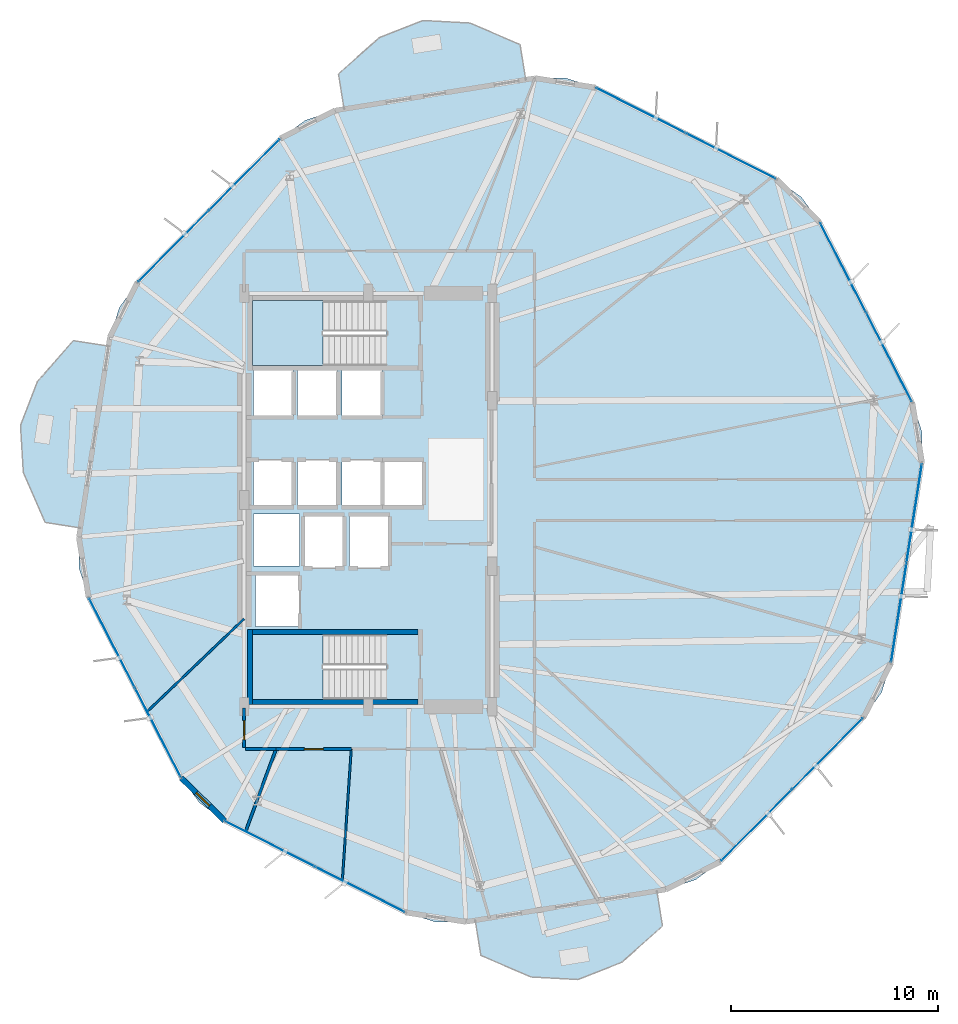
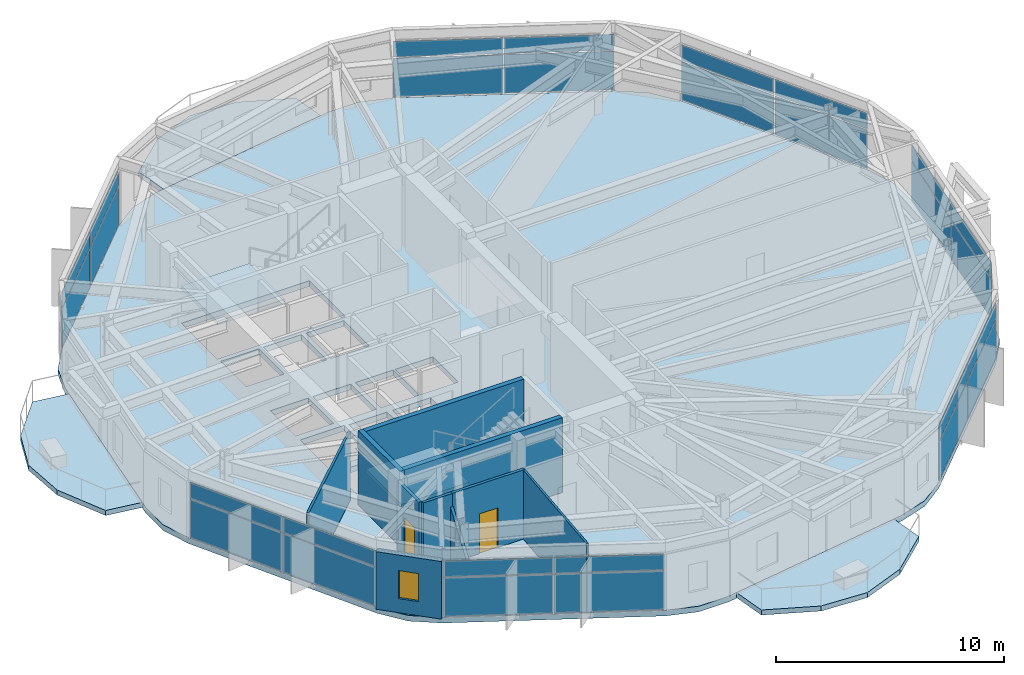
# One storey, part 17 of 23: 28 plates, 10 walls, 6 slabs, 2 doors, 1 window, 3 openings, 9 elements without a shape of their own.
"""IFC4 building model written with IfcOpenShell, lengths in metres."""

from ifc_helpers import new_model, si_unit, direction, frame, frame_2d, origin, origin_2d, place, context, subcontext, project, spatial, polyline, rectangle, outline, extrude, material, layer, layer_set, type_object, element, fill, aggregate, save


model = new_model("IFC4")

# Units and contexts
model_context = context("Model", 3, precision=1e-05, world=origin(), true_north=direction((0.0, 1.0)))
body_context = subcontext(model_context, "Body", "Model", "MODEL_VIEW")
ifc_project = project(units=[si_unit("LENGTHUNIT", "METRE"), si_unit("AREAUNIT", "SQUARE_METRE"), si_unit("VOLUMEUNIT", "CUBIC_METRE"), si_unit("PLANEANGLEUNIT", "RADIAN"), si_unit("MASSUNIT", "GRAM", prefix="KILO")], contexts=[model_context])

# Site, building, storey
site_placement = place(None, origin())
site = spatial("IfcSite", under=ifc_project, at=site_placement, CompositionType="ELEMENT")
building_placement = place(site_placement, origin())
building = spatial("IfcBuilding", under=site, at=building_placement, Name="Soratama Intermodal Tower", CompositionType="ELEMENT")
storey_placement = place(building_placement, frame((0.0, 0.0, 62.60009765625)))
storey = spatial("IfcBuildingStorey", under=building, at=storey_placement, Name="L14", CompositionType="ELEMENT", Elevation=62.60009765625)

# Curtain wall, plates
ifc_material_1 = material(Name="Double-glazed aluminium curtain wall", Category="aluminium")
ifc_layer_1 = layer(ifc_material_1, 0.159912109375)
ifc_layer_set_1 = layer_set([ifc_layer_1], Name="Double-glazed aluminium curtain wall")
curtain_wall_type = type_object("IfcCurtainWallType", Name="CW-SYS-2", PredefinedType="NOTDEFINED", material=ifc_layer_set_1)
curtain_wall_1_placement = place(storey_placement, origin())
curtain_wall_1 = element("IfcCurtainWall", 1, at=curtain_wall_1_placement, inside=storey, type_object=curtain_wall_type, Name="L14 Faceted Curtain Wall F01", PredefinedType="NOTDEFINED")
ifc_material_2 = material(Name="Low-E laminated double glazing", Category="glass")
ifc_layer_2 = layer(ifc_material_2, 0.031982421875)
ifc_layer_set_2 = layer_set([ifc_layer_2], Name="Low-E laminated double glazing")
plate_type = type_object("IfcPlateType", Name="PT-CWP-2", PredefinedType="CURTAIN_PANEL", material=ifc_layer_set_2)
plate_1_placement = place(storey_placement, frame((63.797607421875, 31.9150390625, 0.059814453125), z_axis=(0.0, 0.0, 1.0), x_axis=(-0.456787880537, 0.889575647258, 0.0)))
plate_1 = element("IfcPlate", 2, at=plate_1_placement, type_object=plate_type, Name="CW-2 panel 1.1", PredefinedType="CURTAIN_PANEL", context=body_context, shape_type="SweptSolid", body=[
    extrude(rectangle(XDim=4.81005859375, YDim=0.028076171875, at=origin_2d()), origin(), (0.0, 0.0, 1.0), 2.06005859375),
])
plate_2_placement = place(storey_placement, frame((63.797607421875, 31.9150390625, 2.1796875), z_axis=(0.0, 0.0, 1.0), x_axis=(-0.456787880537, 0.889575647258, 0.0)))
plate_2 = element("IfcPlate", 3, at=plate_2_placement, type_object=plate_type, Name="CW-2 panel 1.2", PredefinedType="CURTAIN_PANEL", context=body_context, shape_type="SweptSolid", body=[
    extrude(rectangle(XDim=4.81005859375, YDim=0.028076171875, at=origin_2d()), origin(), (0.0, 0.0, 1.0), 0.839111328125),
])
plate_3_placement = place(storey_placement, frame((61.572998046875, 36.247314453125, 0.059814453125), z_axis=(0.0, 0.0, 1.0), x_axis=(-0.456787880537, 0.889575647258, 0.0)))
plate_3 = element("IfcPlate", 4, at=plate_3_placement, type_object=plate_type, Name="CW-2 panel 2.1", PredefinedType="CURTAIN_PANEL", context=body_context, shape_type="SweptSolid", body=[
    extrude(rectangle(XDim=4.81005859375, YDim=0.028076171875, at=origin_2d()), origin(), (0.0, 0.0, 1.0), 2.06005859375),
])
plate_4_placement = place(storey_placement, frame((61.572998046875, 36.247314453125, 2.1796875), z_axis=(0.0, 0.0, 1.0), x_axis=(-0.456787880537, 0.889575647258, 0.0)))
plate_4 = element("IfcPlate", 5, at=plate_4_placement, type_object=plate_type, Name="CW-2 panel 2.2", PredefinedType="CURTAIN_PANEL", context=body_context, shape_type="SweptSolid", body=[
    extrude(rectangle(XDim=4.81005859375, YDim=0.028076171875, at=origin_2d()), origin(), (0.0, 0.0, 1.0), 0.839111328125),
])
aggregate(curtain_wall_1, [plate_1, plate_2, plate_3, plate_4])

curtain_wall_2_placement = place(storey_placement, origin())
curtain_wall_2 = element("IfcCurtainWall", 6, at=curtain_wall_2_placement, inside=storey, type_object=curtain_wall_type, Name="L14 Faceted Curtain Wall F02", PredefinedType="NOTDEFINED")
plate_5_placement = place(storey_placement, frame((56.14306640625, 41.643310546875, 0.059814453125), z_axis=(0.0, 0.0, 1.0), x_axis=(-0.892430596221, 0.451184697135, 0.0)))
plate_5 = element("IfcPlate", 7, at=plate_5_placement, type_object=plate_type, Name="CW-2 panel 1.1", PredefinedType="CURTAIN_PANEL", context=body_context, shape_type="SweptSolid", body=[
    extrude(rectangle(XDim=4.81005859375, YDim=0.028076171875, at=origin_2d()), origin(), (0.0, 0.0, 1.0), 2.06005859375),
])
plate_6_placement = place(storey_placement, frame((56.14306640625, 41.643310546875, 2.1796875), z_axis=(0.0, 0.0, 1.0), x_axis=(-0.892430596221, 0.451184697135, 0.0)))
plate_6 = element("IfcPlate", 8, at=plate_6_placement, type_object=plate_type, Name="CW-2 panel 1.2", PredefinedType="CURTAIN_PANEL", context=body_context, shape_type="SweptSolid", body=[
    extrude(rectangle(XDim=4.81005859375, YDim=0.028076171875, at=origin_2d()), origin(), (0.0, 0.0, 1.0), 0.839111328125),
])
plate_7_placement = place(storey_placement, frame((51.796875, 43.840576171875, 0.059814453125), z_axis=(0.0, 0.0, 1.0), x_axis=(-0.892430596221, 0.451184697135, 0.0)))
plate_7 = element("IfcPlate", 9, at=plate_7_placement, type_object=plate_type, Name="CW-2 panel 2.1", PredefinedType="CURTAIN_PANEL", context=body_context, shape_type="SweptSolid", body=[
    extrude(rectangle(XDim=4.81005859375, YDim=0.028076171875, at=origin_2d()), origin(), (0.0, 0.0, 1.0), 2.06005859375),
])
plate_8_placement = place(storey_placement, frame((51.796875, 43.840576171875, 2.1796875), z_axis=(0.0, 0.0, 1.0), x_axis=(-0.892430596221, 0.451184697135, 0.0)))
plate_8 = element("IfcPlate", 10, at=plate_8_placement, type_object=plate_type, Name="CW-2 panel 2.2", PredefinedType="CURTAIN_PANEL", context=body_context, shape_type="SweptSolid", body=[
    extrude(rectangle(XDim=4.81005859375, YDim=0.028076171875, at=origin_2d()), origin(), (0.0, 0.0, 1.0), 0.839111328125),
])
aggregate(curtain_wall_2, [plate_5, plate_6, plate_7, plate_8])

curtain_wall_3_placement = place(storey_placement, origin())
curtain_wall_3 = element("IfcCurtainWall", 11, at=curtain_wall_3_placement, inside=storey, type_object=curtain_wall_type, Name="L14 Faceted Curtain Wall F04", PredefinedType="NOTDEFINED")
plate_9_placement = place(storey_placement, frame((32.614501953125, 40.74072265625, 0.059814453125), z_axis=(0.0, 0.0, 1.0), x_axis=(-0.704878788449, -0.709327775851, 0.0)))
plate_9 = element("IfcPlate", 12, at=plate_9_placement, type_object=plate_type, Name="CW-2 panel 1.1", PredefinedType="CURTAIN_PANEL", context=body_context, shape_type="SweptSolid", body=[
    extrude(rectangle(XDim=4.81005859375, YDim=0.028076171875, at=origin_2d()), origin(), (0.0, 0.0, 1.0), 2.06005859375),
])
plate_10_placement = place(storey_placement, frame((32.614501953125, 40.74072265625, 2.1796875), z_axis=(0.0, 0.0, 1.0), x_axis=(-0.704878788449, -0.709327775851, 0.0)))
plate_10 = element("IfcPlate", 13, at=plate_10_placement, type_object=plate_type, Name="CW-2 panel 1.2", PredefinedType="CURTAIN_PANEL", context=body_context, shape_type="SweptSolid", body=[
    extrude(rectangle(XDim=4.81005859375, YDim=0.028076171875, at=origin_2d()), origin(), (0.0, 0.0, 1.0), 0.839111328125),
])
plate_11_placement = place(storey_placement, frame((29.181884765625, 37.286376953125, 0.059814453125), z_axis=(0.0, 0.0, 1.0), x_axis=(-0.704878788449, -0.709327775851, 0.0)))
plate_11 = element("IfcPlate", 14, at=plate_11_placement, type_object=plate_type, Name="CW-2 panel 2.1", PredefinedType="CURTAIN_PANEL", context=body_context, shape_type="SweptSolid", body=[
    extrude(rectangle(XDim=4.81005859375, YDim=0.028076171875, at=origin_2d()), origin(), (0.0, 0.0, 1.0), 2.06005859375),
])
plate_12_placement = place(storey_placement, frame((29.181884765625, 37.286376953125, 2.1796875), z_axis=(0.0, 0.0, 1.0), x_axis=(-0.704878788449, -0.709327775851, 0.0)))
plate_12 = element("IfcPlate", 15, at=plate_12_placement, type_object=plate_type, Name="CW-2 panel 2.2", PredefinedType="CURTAIN_PANEL", context=body_context, shape_type="SweptSolid", body=[
    extrude(rectangle(XDim=4.81005859375, YDim=0.028076171875, at=origin_2d()), origin(), (0.0, 0.0, 1.0), 0.839111328125),
])
aggregate(curtain_wall_3, [plate_9, plate_10, plate_11, plate_12])

curtain_wall_4_placement = place(storey_placement, origin())
curtain_wall_4 = element("IfcCurtainWall", 16, at=curtain_wall_4_placement, inside=storey, type_object=curtain_wall_type, Name="L14 Faceted Curtain Wall F06", PredefinedType="NOTDEFINED")
plate_13_placement = place(storey_placement, frame((26.202392578125, 18.0849609375, 0.059814453125), z_axis=(0.0, 0.0, 1.0), x_axis=(0.456787880537, -0.889575647258, 0.0)))
plate_13 = element("IfcPlate", 17, at=plate_13_placement, type_object=plate_type, Name="CW-2 panel 1.1", PredefinedType="CURTAIN_PANEL", context=body_context, shape_type="SweptSolid", body=[
    extrude(rectangle(XDim=4.81005859375, YDim=0.028076171875, at=origin_2d()), origin(), (0.0, 0.0, 1.0), 2.06005859375),
])
plate_14_placement = place(storey_placement, frame((26.202392578125, 18.0849609375, 2.1796875), z_axis=(0.0, 0.0, 1.0), x_axis=(0.456787880537, -0.889575647258, 0.0)))
plate_14 = element("IfcPlate", 18, at=plate_14_placement, type_object=plate_type, Name="CW-2 panel 1.2", PredefinedType="CURTAIN_PANEL", context=body_context, shape_type="SweptSolid", body=[
    extrude(rectangle(XDim=4.81005859375, YDim=0.028076171875, at=origin_2d()), origin(), (0.0, 0.0, 1.0), 0.839111328125),
])
plate_15_placement = place(storey_placement, frame((28.427001953125, 13.752685546875, 0.059814453125), z_axis=(0.0, 0.0, 1.0), x_axis=(0.456787880537, -0.889575647258, 0.0)))
plate_15 = element("IfcPlate", 19, at=plate_15_placement, type_object=plate_type, Name="CW-2 panel 2.1", PredefinedType="CURTAIN_PANEL", context=body_context, shape_type="SweptSolid", body=[
    extrude(rectangle(XDim=4.81005859375, YDim=0.028076171875, at=origin_2d()), origin(), (0.0, 0.0, 1.0), 2.06005859375),
])
plate_16_placement = place(storey_placement, frame((28.427001953125, 13.752685546875, 2.1796875), z_axis=(0.0, 0.0, 1.0), x_axis=(0.456787880537, -0.889575647258, 0.0)))
plate_16 = element("IfcPlate", 20, at=plate_16_placement, type_object=plate_type, Name="CW-2 panel 2.2", PredefinedType="CURTAIN_PANEL", context=body_context, shape_type="SweptSolid", body=[
    extrude(rectangle(XDim=4.81005859375, YDim=0.028076171875, at=origin_2d()), origin(), (0.0, 0.0, 1.0), 0.839111328125),
])
aggregate(curtain_wall_4, [plate_13, plate_14, plate_15, plate_16])

curtain_wall_5_placement = place(storey_placement, origin())
curtain_wall_5 = element("IfcCurtainWall", 21, at=curtain_wall_5_placement, inside=storey, type_object=curtain_wall_type, Name="L14 Faceted Curtain Wall F07", PredefinedType="NOTDEFINED")
plate_17_placement = place(storey_placement, frame((33.85693359375, 8.356689453125, 0.059814453125), z_axis=(0.0, 0.0, 1.0), x_axis=(0.892430596221, -0.451184697135, 0.0)))
plate_17 = element("IfcPlate", 22, at=plate_17_placement, type_object=plate_type, Name="CW-2 panel 1.1", PredefinedType="CURTAIN_PANEL", context=body_context, shape_type="SweptSolid", body=[
    extrude(rectangle(XDim=4.81005859375, YDim=0.028076171875, at=origin_2d()), origin(), (0.0, 0.0, 1.0), 2.06005859375),
])
plate_18_placement = place(storey_placement, frame((33.85693359375, 8.356689453125, 2.1796875), z_axis=(0.0, 0.0, 1.0), x_axis=(0.892430596221, -0.451184697135, 0.0)))
plate_18 = element("IfcPlate", 23, at=plate_18_placement, type_object=plate_type, Name="CW-2 panel 1.2", PredefinedType="CURTAIN_PANEL", context=body_context, shape_type="SweptSolid", body=[
    extrude(rectangle(XDim=4.81005859375, YDim=0.028076171875, at=origin_2d()), origin(), (0.0, 0.0, 1.0), 0.839111328125),
])
plate_19_placement = place(storey_placement, frame((38.203125, 6.159423828125, 0.059814453125), z_axis=(0.0, 0.0, 1.0), x_axis=(0.892430596221, -0.451184697135, 0.0)))
plate_19 = element("IfcPlate", 24, at=plate_19_placement, type_object=plate_type, Name="CW-2 panel 2.1", PredefinedType="CURTAIN_PANEL", context=body_context, shape_type="SweptSolid", body=[
    extrude(rectangle(XDim=4.81005859375, YDim=0.028076171875, at=origin_2d()), origin(), (0.0, 0.0, 1.0), 2.06005859375),
])
plate_20_placement = place(storey_placement, frame((38.203125, 6.159423828125, 2.1796875), z_axis=(0.0, 0.0, 1.0), x_axis=(0.892430596221, -0.451184697135, 0.0)))
plate_20 = element("IfcPlate", 25, at=plate_20_placement, type_object=plate_type, Name="CW-2 panel 2.2", PredefinedType="CURTAIN_PANEL", context=body_context, shape_type="SweptSolid", body=[
    extrude(rectangle(XDim=4.81005859375, YDim=0.028076171875, at=origin_2d()), origin(), (0.0, 0.0, 1.0), 0.839111328125),
])
aggregate(curtain_wall_5, [plate_17, plate_18, plate_19, plate_20])

curtain_wall_6_placement = place(storey_placement, origin())
curtain_wall_6 = element("IfcCurtainWall", 26, at=curtain_wall_6_placement, inside=storey, type_object=curtain_wall_type, Name="L14 Faceted Curtain Wall F09", PredefinedType="NOTDEFINED")
plate_21_placement = place(storey_placement, frame((57.385498046875, 9.25927734375, 0.059814453125), z_axis=(0.0, 0.0, 1.0), x_axis=(0.704878788449, 0.709327775851, 0.0)))
plate_21 = element("IfcPlate", 27, at=plate_21_placement, type_object=plate_type, Name="CW-2 panel 1.1", PredefinedType="CURTAIN_PANEL", context=body_context, shape_type="SweptSolid", body=[
    extrude(rectangle(XDim=4.81005859375, YDim=0.028076171875, at=origin_2d()), origin(), (0.0, 0.0, 1.0), 2.06005859375),
])
plate_22_placement = place(storey_placement, frame((57.385498046875, 9.25927734375, 2.1796875), z_axis=(0.0, 0.0, 1.0), x_axis=(0.704878788449, 0.709327775851, 0.0)))
plate_22 = element("IfcPlate", 28, at=plate_22_placement, type_object=plate_type, Name="CW-2 panel 1.2", PredefinedType="CURTAIN_PANEL", context=body_context, shape_type="SweptSolid", body=[
    extrude(rectangle(XDim=4.81005859375, YDim=0.028076171875, at=origin_2d()), origin(), (0.0, 0.0, 1.0), 0.839111328125),
])
plate_23_placement = place(storey_placement, frame((60.818115234375, 12.713623046875, 0.059814453125), z_axis=(0.0, 0.0, 1.0), x_axis=(0.704878788449, 0.709327775851, 0.0)))
plate_23 = element("IfcPlate", 29, at=plate_23_placement, type_object=plate_type, Name="CW-2 panel 2.1", PredefinedType="CURTAIN_PANEL", context=body_context, shape_type="SweptSolid", body=[
    extrude(rectangle(XDim=4.81005859375, YDim=0.028076171875, at=origin_2d()), origin(), (0.0, 0.0, 1.0), 2.06005859375),
])
plate_24_placement = place(storey_placement, frame((60.818115234375, 12.713623046875, 2.1796875), z_axis=(0.0, 0.0, 1.0), x_axis=(0.704878788449, 0.709327775851, 0.0)))
plate_24 = element("IfcPlate", 30, at=plate_24_placement, type_object=plate_type, Name="CW-2 panel 2.2", PredefinedType="CURTAIN_PANEL", context=body_context, shape_type="SweptSolid", body=[
    extrude(rectangle(XDim=4.81005859375, YDim=0.028076171875, at=origin_2d()), origin(), (0.0, 0.0, 1.0), 0.839111328125),
])
aggregate(curtain_wall_6, [plate_21, plate_22, plate_23, plate_24])

curtain_wall_7_placement = place(storey_placement, origin())
curtain_wall_7 = element("IfcCurtainWall", 31, at=curtain_wall_7_placement, inside=storey, type_object=curtain_wall_type, Name="L14 Faceted Curtain Wall F10", PredefinedType="NOTDEFINED")
plate_25_placement = place(storey_placement, frame((64.272216796875, 19.54541015625, 0.059814453125), z_axis=(0.0, 0.0, 1.0), x_axis=(0.153328396334, 0.98817528955, 0.0)))
plate_25 = element("IfcPlate", 32, at=plate_25_placement, type_object=plate_type, Name="CW-2 panel 1.1", PredefinedType="CURTAIN_PANEL", context=body_context, shape_type="SweptSolid", body=[
    extrude(rectangle(XDim=4.81005859375, YDim=0.028076171875, at=origin_2d()), origin(), (0.0, 0.0, 1.0), 2.06005859375),
])
plate_26_placement = place(storey_placement, frame((64.272216796875, 19.54541015625, 2.1796875), z_axis=(0.0, 0.0, 1.0), x_axis=(0.153328396334, 0.98817528955, 0.0)))
plate_26 = element("IfcPlate", 33, at=plate_26_placement, type_object=plate_type, Name="CW-2 panel 1.2", PredefinedType="CURTAIN_PANEL", context=body_context, shape_type="SweptSolid", body=[
    extrude(rectangle(XDim=4.81005859375, YDim=0.028076171875, at=origin_2d()), origin(), (0.0, 0.0, 1.0), 0.839111328125),
])
plate_27_placement = place(storey_placement, frame((65.018798828125, 24.35791015625, 0.059814453125), z_axis=(0.0, 0.0, 1.0), x_axis=(0.153328396334, 0.98817528955, 0.0)))
plate_27 = element("IfcPlate", 34, at=plate_27_placement, type_object=plate_type, Name="CW-2 panel 2.1", PredefinedType="CURTAIN_PANEL", context=body_context, shape_type="SweptSolid", body=[
    extrude(rectangle(XDim=4.81005859375, YDim=0.028076171875, at=origin_2d()), origin(), (0.0, 0.0, 1.0), 2.06005859375),
])
plate_28_placement = place(storey_placement, frame((65.018798828125, 24.35791015625, 2.1796875), z_axis=(0.0, 0.0, 1.0), x_axis=(0.153328396334, 0.98817528955, 0.0)))
plate_28 = element("IfcPlate", 35, at=plate_28_placement, type_object=plate_type, Name="CW-2 panel 2.2", PredefinedType="CURTAIN_PANEL", context=body_context, shape_type="SweptSolid", body=[
    extrude(rectangle(XDim=4.81005859375, YDim=0.028076171875, at=origin_2d()), origin(), (0.0, 0.0, 1.0), 0.839111328125),
])
aggregate(curtain_wall_7, [plate_25, plate_26, plate_27, plate_28])

# Slabs
ifc_material_3 = material(Name="Concrete f'c 42 MPa", Category="concrete")
ifc_layer_3 = layer(ifc_material_3, 0.27001953125)
ifc_layer_set_3 = layer_set([ifc_layer_3], Name="Concrete f'c 42 MPa")
slab_type_1 = type_object("IfcSlabType", Name="SL-EXT-BAL1", PredefinedType="FLOOR", material=ifc_layer_set_3)
slab_1_placement = place(storey_placement, frame((0.0, 0.0, -0.27001953125)))
element("IfcSlab", 36, at=slab_1_placement, inside=storey, type_object=slab_type_1, Name="L14 Planted Balcony North 1", PredefinedType="FLOOR", context=body_context, shape_type="SweptSolid", body=[
    extrude(outline(polyline([(46.22119140625, 45.3359375), (37.435302734375, 43.916015625), (37.160888671875, 45.614013671875), (39.131591796875, 47.365966796875), (41.250732421875, 48.19970703125), (43.524658203125, 48.075927734375), (45.947021484375, 47.033935546875), (46.22119140625, 45.3359375)])), origin(), (0.0, 0.0, 1.0), 0.27001953125),
])
slab_2_placement = place(storey_placement, frame((0.0, 0.0, -0.27001953125)))
element("IfcSlab", 37, at=slab_2_placement, inside=storey, type_object=slab_type_1, Name="L14 Planted Balcony West 2", PredefinedType="FLOOR", context=body_context, shape_type="SweptSolid", body=[
    extrude(outline(polyline([(26.036865234375, 32.445556640625), (24.672119140625, 23.65087890625), (22.972412109375, 23.914794921875), (21.915283203125, 26.330322265625), (21.77734375, 28.603271484375), (22.597412109375, 30.727783203125), (24.337158203125, 32.709228515625), (26.036865234375, 32.445556640625)])), origin(), (0.0, 0.0, 1.0), 0.27001953125),
])
slab_3_placement = place(storey_placement, frame((0.0, 0.0, -0.27001953125)))
element("IfcSlab", 38, at=slab_3_placement, inside=storey, type_object=slab_type_1, Name="L14 Planted Balcony South 3", PredefinedType="FLOOR", context=body_context, shape_type="SweptSolid", body=[
    extrude(outline(polyline([(43.77880859375, 4.6640625), (52.564697265625, 6.083984375), (52.839111328125, 4.385986328125), (50.868408203125, 2.634033203125), (48.749267578125, 1.80029296875), (46.475341796875, 1.924072265625), (44.052978515625, 2.966064453125), (43.77880859375, 4.6640625)])), origin(), (0.0, 0.0, 1.0), 0.27001953125),
])

# Stair, slab
ifc_material_4 = material(Name="Concrete f'c 42 MPa", Category="concrete")
stair_type = type_object("IfcStairType", Name="ST-CORE-DOGLEG", PredefinedType="HALF_TURN_STAIR", material=ifc_material_4)
stair_1_placement = place(storey_placement, origin())
stair_1 = element("IfcStair", 39, at=stair_1_placement, inside=storey, type_object=stair_type, Name="L14 ST-1", PredefinedType="HALF_TURN_STAIR")
ifc_material_5 = material(Name="Concrete f'c 42 MPa", Category="concrete")
ifc_layer_4 = layer(ifc_material_5, 0.219970703125)
ifc_layer_set_4 = layer_set([ifc_layer_4], Name="Concrete f'c 42 MPa")
slab_type_2 = type_object("IfcSlabType", Name="SL-STAIR-LAND", PredefinedType="LANDING", material=ifc_layer_set_4)
slab_4_placement = place(storey_placement, frame((0.0, 0.0, 1.7998046875)))
slab_4 = element("IfcSlab", 40, at=slab_4_placement, type_object=slab_type_2, Name="ST-1 landing 1", PredefinedType="LANDING", context=body_context, shape_type="SweptSolid", body=[
    extrude(outline(polyline([(36.419921875, 18.5), (33.0, 18.5), (33.0, 15.35009765625), (36.419921875, 15.35009765625), (36.419921875, 18.5)])), origin(), (0.0, 0.0, 1.0), 0.2001953125),
])
aggregate(stair_1, [slab_4])

stair_2_placement = place(storey_placement, origin())
stair_2 = element("IfcStair", 41, at=stair_2_placement, inside=storey, type_object=stair_type, Name="L14 ST-2", PredefinedType="HALF_TURN_STAIR")
slab_5_placement = place(storey_placement, frame((0.0, 0.0, 1.7998046875)))
slab_5 = element("IfcSlab", 42, at=slab_5_placement, type_object=slab_type_2, Name="ST-2 landing 1", PredefinedType="LANDING", context=body_context, shape_type="SweptSolid", body=[
    extrude(outline(polyline([(36.419921875, 34.64990234375), (33.0, 34.64990234375), (33.0, 31.5), (36.419921875, 31.5), (36.419921875, 34.64990234375)])), origin(), (0.0, 0.0, 1.0), 0.2001953125),
])
aggregate(stair_2, [slab_5])

# Slab
ifc_material_6 = material(Name="Concrete f'c 42 MPa", Category="concrete")
ifc_layer_5 = layer(ifc_material_6, 0.280029296875)
ifc_layer_set_5 = layer_set([ifc_layer_5], Name="Concrete f'c 42 MPa")
slab_type_3 = type_object("IfcSlabType", Name="SL-TWR-280", PredefinedType="FLOOR", material=ifc_layer_set_5)
slab_6_placement = place(storey_placement, frame((0.0, 0.0, -0.300048828125)))
element("IfcSlab", 43, at=slab_6_placement, inside=storey, type_object=slab_type_3, Name="L14 Structural Floor Slab", PredefinedType="FLOOR", context=body_context, shape_type="SweptSolid", body=[
    extrude(outline(polyline([(65.396728515625, 26.793701171875), (65.39208984375, 28.29541015625), (64.923583984375, 29.722412109375), (60.447021484375, 38.440185546875), (59.560546875, 39.65234375), (58.3427734375, 40.53125), (49.596923828125, 44.952880859375), (48.167236328125, 45.412353515625), (46.66552734375, 45.40771484375), (36.9912109375, 43.84423828125), (35.564208984375, 43.375732421875), (34.35205078125, 42.4892578125), (27.4443359375, 35.537841796875), (26.5654296875, 34.320068359375), (26.105712890625, 32.890380859375), (24.603271484375, 23.206298828125), (24.60791015625, 21.70458984375), (25.076416015625, 20.277587890625), (29.552978515625, 11.559814453125), (30.439453125, 10.34765625), (31.6572265625, 9.46875), (40.403076171875, 5.047119140625), (41.832763671875, 4.587646484375), (43.33447265625, 4.59228515625), (53.0087890625, 6.15576171875), (54.435791015625, 6.624267578125), (55.64794921875, 7.5107421875), (62.5556640625, 14.462158203125), (63.4345703125, 15.679931640625), (63.894287109375, 17.109619140625), (65.396728515625, 26.793701171875)]), holes=[polyline([(33.0, 18.5), (33.0, 15.35009765625), (39.47509765625, 15.35009765625), (39.47509765625, 18.5), (33.0, 18.5)]), polyline([(35.260009765625, 18.889892578125), (35.260009765625, 21.409912109375), (33.139892578125, 21.409912109375), (33.139892578125, 18.889892578125), (35.260009765625, 18.889892578125)]), polyline([(33.050048828125, 21.800048828125), (35.280029296875, 21.800048828125), (35.280029296875, 24.320068359375), (33.050048828125, 24.320068359375), (33.050048828125, 21.800048828125)]), polyline([(34.9599609375, 26.909912109375), (33.0400390625, 26.909912109375), (33.0400390625, 24.68994140625), (34.9599609375, 24.68994140625), (34.9599609375, 26.909912109375)]), polyline([(37.110107421875, 24.68994140625), (37.110107421875, 26.909912109375), (35.18994140625, 26.909912109375), (35.18994140625, 24.68994140625), (37.110107421875, 24.68994140625)]), polyline([(34.9599609375, 29.0400390625), (34.9599609375, 31.260009765625), (33.0400390625, 31.260009765625), (33.0400390625, 29.0400390625), (34.9599609375, 29.0400390625)]), polyline([(37.110107421875, 31.260009765625), (35.18994140625, 31.260009765625), (35.18994140625, 29.0400390625), (37.110107421875, 29.0400390625), (37.110107421875, 31.260009765625)]), polyline([(37.409912109375, 21.739990234375), (37.409912109375, 24.260009765625), (35.489990234375, 24.260009765625), (35.489990234375, 21.739990234375), (37.409912109375, 21.739990234375)]), polyline([(39.610107421875, 21.739990234375), (39.610107421875, 24.260009765625), (37.68994140625, 24.260009765625), (37.68994140625, 21.739990234375), (39.610107421875, 21.739990234375)]), polyline([(39.260009765625, 24.68994140625), (39.260009765625, 26.909912109375), (37.340087890625, 26.909912109375), (37.340087890625, 24.68994140625), (39.260009765625, 24.68994140625)]), polyline([(41.260009765625, 24.68994140625), (41.260009765625, 26.909912109375), (39.340087890625, 26.909912109375), (39.340087890625, 24.68994140625), (41.260009765625, 24.68994140625)]), polyline([(39.260009765625, 29.0400390625), (39.260009765625, 31.260009765625), (37.340087890625, 31.260009765625), (37.340087890625, 29.0400390625), (39.260009765625, 29.0400390625)]), polyline([(39.47509765625, 34.64990234375), (33.0, 34.64990234375), (33.0, 31.5), (39.47509765625, 31.5), (39.47509765625, 34.64990234375)])]), origin(), (0.0, 0.0, 1.0), 0.300048828125),
])

# Wall, opening, window
ifc_material_7 = material(Name="Concrete f'c 42 MPa", Category="concrete")
ifc_layer_6 = layer(ifc_material_7, 0.27001953125)
ifc_layer_set_6 = layer_set([ifc_layer_6], Name="Concrete f'c 42 MPa")
wall_type_1 = type_object("IfcWallType", Name="EW-CRN-270", PredefinedType="SOLIDWALL", material=ifc_layer_set_6)
wall_1_placement = place(storey_placement, frame((29.552978515625, 11.559814453125, 0.0), z_axis=(0.0, 0.0, 1.0), x_axis=(0.709325332319, -0.704881247396, 0.0)))
wall_1 = element("IfcWall", 44, at=wall_1_placement, inside=storey, type_object=wall_type_1, Name="L14 Corner Closure Wall 06", PredefinedType="SOLIDWALL", context=body_context, shape_type="SweptSolid", body=[
    extrude(rectangle(XDim=2.966552734375, YDim=0.27001953125, at=frame_2d((1.4833984375, 0.0))), origin(), (0.0, 0.0, 1.0), 3.078857421875),
])
opening_1_placement = place(wall_1_placement, frame((1.033203125, 0.0, 0.75)))
opening_1 = element("IfcOpeningElement", 45, at=opening_1_placement, cuts=wall_1, Name="Opening WN-6", PredefinedType="OPENING", context=body_context, shape_type="SweptSolid", body=[
    extrude(rectangle(XDim=0.89990234375, YDim=1.5, at=frame_2d((0.449951171875, 0.75))), frame((0.0, 0.14501953125, 0.0), z_axis=(0.0, -1.0, 0.0), x_axis=(1.0, 0.0, 0.0)), (0.0, 0.0, 1.0), 0.2900390625),
])
ifc_material_8 = material(Name="Double-glazed aluminium window", Category="aluminium")
window_type = type_object("IfcWindowType", Name="WN-FAC-900", PartitioningType="SINGLE_PANEL", PredefinedType="WINDOW", material=ifc_material_8)
window_placement = place(opening_1_placement, origin())
window = element("IfcWindow", 46, at=window_placement, inside=storey, type_object=window_type, Name="L14 Corner Window 06", OverallHeight=1.5, OverallWidth=0.89990234375, PartitioningType="SINGLE_PANEL", PredefinedType="WINDOW", context=body_context, shape_type="SweptSolid", body=[
    extrude(rectangle(XDim=0.89990234375, YDim=1.5, at=frame_2d((0.449951171875, 0.75))), frame((0.0, 0.030029296875, 0.0), z_axis=(0.0, -1.0, 0.0), x_axis=(1.0, 0.0, 0.0)), (0.0, 0.0, 1.0), 0.06005859375),
])
fill(opening_1, window)

# Wall, opening, door
ifc_material_9 = material(Name="Fire-rated gypsum stud partition", Category="concrete")
ifc_layer_7 = layer(ifc_material_9, 0.14990234375)
ifc_layer_set_7 = layer_set([ifc_layer_7], Name="Fire-rated gypsum stud partition")
wall_type_2 = type_object("IfcWallType", Name="IW-PART-R150", PredefinedType="PARTITIONING", material=ifc_layer_set_7)
wall_2_placement = place(storey_placement, frame((37.781005859375, 12.949951171875, 0.0), z_axis=(0.0, 0.0, 1.0), x_axis=(-1.0, 0.0, 0.0)))
wall_2 = element("IfcWall", 47, at=wall_2_placement, inside=storey, type_object=wall_type_2, Name="L14 Partition W-L14-TP020", PredefinedType="PARTITIONING", context=body_context, shape_type="SweptSolid", body=[
    extrude(rectangle(XDim=3.637939453125, YDim=0.14990234375, at=frame_2d((1.81884765625, 0.0))), origin(), (0.0, 0.0, 1.0), 3.699951171875),
])
opening_2_placement = place(wall_2_placement, frame((1.343994140625, 0.0, 0.0)))
opening_2 = element("IfcOpeningElement", 48, at=opening_2_placement, cuts=wall_2, Name="Opening ID-6", PredefinedType="OPENING", context=body_context, shape_type="SweptSolid", body=[
    extrude(rectangle(XDim=0.919921875, YDim=2.1201171875, at=frame_2d((0.4599609375, 1.06005859375))), frame((0.0, 0.0849609375, 0.0), z_axis=(0.0, -1.0, 0.0), x_axis=(1.0, 0.0, 0.0)), (0.0, 0.0, 1.0), 0.169921875),
])
ifc_material_10 = material(Name="Solid hardwood acoustic door", Category="wood")
door_type = type_object("IfcDoorType", Name="DR-ROOM-920", OperationType="NOTDEFINED", PredefinedType="DOOR", material=ifc_material_10)
door_1_placement = place(opening_2_placement, origin())
door_1 = element("IfcDoor", 49, at=door_1_placement, inside=storey, type_object=door_type, Name="L14 Door D-L14-TP010", OperationType="SINGLE_SWING_LEFT", OverallHeight=2.1201171875, OverallWidth=0.919921875, PredefinedType="DOOR", context=body_context, shape_type="SweptSolid", body=[
    extrude(rectangle(XDim=0.919921875, YDim=2.1201171875, at=frame_2d((0.4599609375, 1.06005859375))), frame((0.0, 0.02490234375, 0.0), z_axis=(0.0, -1.0, 0.0), x_axis=(1.0, 0.0, 0.0)), (0.0, 0.0, 1.0), 0.050048828125),
])
fill(opening_2, door_1)

wall_3_placement = place(storey_placement, frame((32.60009765625, 13.02001953125, 0.0), z_axis=(0.0, 0.0, 1.0), x_axis=(0.0, 1.0, 0.0)))
wall_3 = element("IfcWall", 50, at=wall_3_placement, inside=storey, type_object=wall_type_2, Name="L14 Partition W-L14-TP025", PredefinedType="PARTITIONING", context=body_context, shape_type="SweptSolid", body=[
    extrude(rectangle(XDim=1.909912109375, YDim=0.14990234375, at=frame_2d((0.955078125, 0.0))), origin(), (0.0, 0.0, 1.0), 3.699951171875),
])
opening_3_placement = place(wall_3_placement, frame((0.384033203125, 0.0, 0.0)))
opening_3 = element("IfcOpeningElement", 51, at=opening_3_placement, cuts=wall_3, Name="Opening ID-6", PredefinedType="OPENING", context=body_context, shape_type="SweptSolid", body=[
    extrude(rectangle(XDim=0.919921875, YDim=2.1201171875, at=frame_2d((0.4599609375, 1.06005859375))), frame((0.0, 0.0849609375, 0.0), z_axis=(0.0, -1.0, 0.0), x_axis=(1.0, 0.0, 0.0)), (0.0, 0.0, 1.0), 0.169921875),
])
door_2_placement = place(opening_3_placement, origin())
door_2 = element("IfcDoor", 52, at=door_2_placement, inside=storey, type_object=door_type, Name="L14 Door D-L14-TP014", OperationType="SINGLE_SWING_LEFT", OverallHeight=2.1201171875, OverallWidth=0.919921875, PredefinedType="DOOR", context=body_context, shape_type="SweptSolid", body=[
    extrude(rectangle(XDim=0.919921875, YDim=2.1201171875, at=frame_2d((0.4599609375, 1.06005859375))), frame((0.0, 0.02490234375, 0.0), z_axis=(0.0, -1.0, 0.0), x_axis=(1.0, 0.0, 0.0)), (0.0, 0.0, 1.0), 0.050048828125),
])
fill(opening_3, door_2)

# Walls
wall_4_placement = place(storey_placement, frame((34.14306640625, 12.949951171875, 0.0), z_axis=(0.0, 0.0, 1.0), x_axis=(-1.0, 0.0, 0.0)))
element("IfcWall", 53, at=wall_4_placement, inside=storey, type_object=wall_type_2, Name="L14 Partition W-L14-TP029", PredefinedType="PARTITIONING", context=body_context, shape_type="SweptSolid", body=[
    extrude(rectangle(XDim=1.47314453125, YDim=0.14990234375, at=frame_2d((0.736572265625, 0.0))), origin(), (0.0, 0.0, 1.0), 3.699951171875),
])
ifc_material_11 = material(Name="Fire-rated gypsum stud partition", Category="concrete")
ifc_layer_8 = layer(ifc_material_11, 0.10009765625)
ifc_layer_set_8 = layer_set([ifc_layer_8], Name="Fire-rated gypsum stud partition")
wall_type_3 = type_object("IfcWallType", Name="IW-PART-S100", PredefinedType="PARTITIONING", material=ifc_layer_set_8)
wall_5_placement = place(storey_placement, frame((37.781005859375, 12.949951171875, 0.0), z_axis=(0.0, 0.0, 1.0), x_axis=(-0.067762188279, -0.997701501372, 0.0)))
element("IfcWall", 54, at=wall_5_placement, inside=storey, type_object=wall_type_3, Name="L14 Partition W-L14-TP013", PredefinedType="PARTITIONING", context=body_context, shape_type="SweptSolid", body=[
    extrude(rectangle(XDim=6.37353515625, YDim=0.10009765625, at=frame_2d((3.186767578125, 0.0))), origin(), (0.0, 0.0, 1.0), 3.699951171875),
])
ifc_material_12 = material(Name="Fire-rated gypsum stud partition", Category="concrete")
ifc_layer_9 = layer(ifc_material_12, 0.110107421875)
ifc_layer_set_9 = layer_set([ifc_layer_9], Name="Fire-rated gypsum stud partition")
wall_type_4 = type_object("IfcWallType", Name="IW-PART-S110", PredefinedType="PARTITIONING", material=ifc_layer_set_9)
wall_6_placement = place(storey_placement, frame((32.60009765625, 19.2548828125, 0.0), z_axis=(0.0, 0.0, 1.0), x_axis=(-0.722348754287, -0.691528941679, 0.0)))
element("IfcWall", 55, at=wall_6_placement, inside=storey, type_object=wall_type_4, Name="L14 Partition W-L14-TP012", PredefinedType="PARTITIONING", context=body_context, shape_type="SweptSolid", body=[
    extrude(rectangle(XDim=6.49560546875, YDim=0.110107421875, at=frame_2d((3.247802734375, 0.0))), origin(), (0.0, 0.0, 1.0), 3.699951171875),
])
ifc_material_13 = material(Name="Fire-rated gypsum stud partition", Category="concrete")
ifc_layer_10 = layer(ifc_material_13, 0.139892578125)
ifc_layer_set_10 = layer_set([ifc_layer_10], Name="Fire-rated gypsum stud partition")
wall_type_5 = type_object("IfcWallType", Name="IW-PART-S140", PredefinedType="PARTITIONING", material=ifc_layer_set_10)
wall_7_placement = place(storey_placement, frame((34.14306640625, 12.949951171875, 0.0), z_axis=(0.0, 0.0, 1.0), x_axis=(-0.34681361274, -0.937934069121, 0.0)))
element("IfcWall", 56, at=wall_7_placement, inside=storey, type_object=wall_type_5, Name="L14 Partition W-L14-TP019", PredefinedType="PARTITIONING", context=body_context, shape_type="SweptSolid", body=[
    extrude(rectangle(XDim=4.256103515625, YDim=0.139892578125, at=frame_2d((2.1279296875, 0.0))), origin(), (0.0, 0.0, 1.0), 2.994873046875),
])
ifc_material_14 = material(Name="Concrete f'c 56 MPa", Category="concrete")
ifc_layer_11 = layer(ifc_material_14, 0.239990234375)
ifc_layer_set_11 = layer_set([ifc_layer_11], Name="Concrete f'c 56 MPa")
wall_type_6 = type_object("IfcWallType", Name="SW-STAIR-240", PredefinedType="SHEAR", material=ifc_layer_set_11)
wall_8_placement = place(storey_placement, frame((32.8798828125, 15.110107421875, 0.0), z_axis=(0.0, 0.0, 1.0), x_axis=(0.0, 1.0, 0.0)))
element("IfcWall", 57, at=wall_8_placement, inside=storey, type_object=wall_type_6, Name="L14 ST-1 Shaft Shear Wall W", PredefinedType="SHEAR", context=body_context, shape_type="SweptSolid", body=[
    extrude(rectangle(XDim=3.6298828125, YDim=0.239990234375, at=frame_2d((1.81494140625, 0.0))), origin(), (0.0, 0.0, 1.0), 4.0),
])
for number, where, z_axis, x_axis, name in (
    (58, (33.0, 15.22998046875, 0.0), (0.0, 0.0, 1.0), (1.0, 0.0, 0.0), "L14 ST-1 Shaft Shear Wall S"),
    (59, (33.0, 18.6201171875, 0.0), (0.0, 0.0, 1.0), (1.0, 0.0, 0.0), "L14 ST-1 Shaft Shear Wall N"),
):
    element("IfcWall", number, at=place(storey_placement, frame(where, z_axis=z_axis, x_axis=x_axis)), inside=storey, type_object=wall_type_6, Name=name, PredefinedType="SHEAR", context=body_context, shape_type="SweptSolid", body=[
        extrude(rectangle(XDim=8.0, YDim=0.239990234375, at=frame_2d((4.0, 0.0))), origin(), (0.0, 0.0, 1.0), 4.0),
    ])

save(model, "model.ifc")
